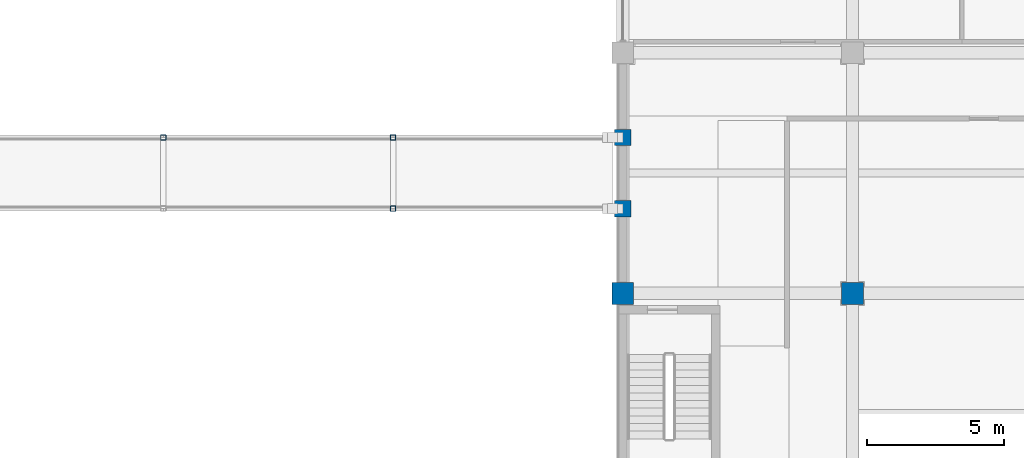
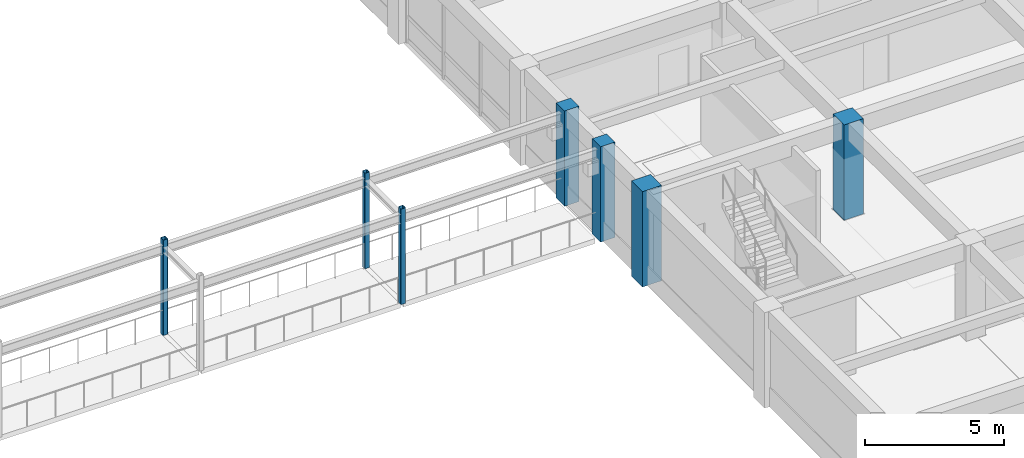
# One storey, part 10 of 57: 7 columns.
"""IFC4 building model written with IfcOpenShell, lengths in metres."""

import ifcopenshell
import ifcopenshell.guid

model = None  # the IFC model being written
_history = None  # IfcOwnerHistory: only IFC2X3 demands one
_inside = {}  # id of a spatial element -> (the spatial element, [elements in it])
_under = {}  # id of a project, library or spatial element -> (it, [spatial elements below it])
_declared = {}  # id of a project -> (the project, [libraries it declares])
_typed = {}  # id of a type object -> (the type object, [elements of that type])
_made_of = {}  # id of a material, layer set ... -> (it, [elements and type objects made of it])


def new_model(schema):
    """Start an empty IFC model of exactly this schema.

    Asked for "IFC4X3", IfcOpenShell would pick the latest addendum, in which some entities
    have other attributes; the version numbers below select the first issue.
    IFC2X3 requires an IfcOwnerHistory on every rooted entity: one is made here for all.
    """
    global model, _history
    if schema == "IFC4X3":
        model = ifcopenshell.file(schema_version=(4, 3, 0, 0))
    else:
        model = ifcopenshell.file(schema=schema)
    _inside.clear()
    _under.clear()
    _declared.clear()
    _typed.clear()
    _made_of.clear()
    _history = None
    if model.schema == "IFC2X3":
        org = make("IfcOrganization", Name="unknown")
        user = make(
            "IfcPersonAndOrganization",
            ThePerson=make("IfcPerson", FamilyName="unknown"),
            TheOrganization=org,
        )
        app = make(
            "IfcApplication",
            ApplicationDeveloper=org,
            Version="unknown",
            ApplicationFullName="unknown",
            ApplicationIdentifier="unknown",
        )
        _history = make(
            "IfcOwnerHistory",
            OwningUser=user,
            OwningApplication=app,
            ChangeAction="ADDED",
            CreationDate=0,
        )
    return model


def make(cls, **values):
    """One entity of the class cls with the attributes given. An attribute that is None is left unset."""
    return model.create_entity(
        cls, **{name: value for name, value in values.items() if value is not None}
    )


def rooted(cls, **values):
    """An entity with a GlobalId (a new one), such as an element, a storey or a relation."""
    return make(cls, GlobalId=ifcopenshell.guid.new(), OwnerHistory=_history, **values)


def si_unit(unit_type, name, prefix=None):
    """IfcSIUnit, for example si_unit("LENGTHUNIT", "METRE", prefix="MILLI")."""
    return make("IfcSIUnit", UnitType=unit_type, Prefix=prefix, Name=name)


def assignment(units):
    """IfcUnitAssignment: the units of a project."""
    return None if units is None else make("IfcUnitAssignment", Units=units)


def point(xyz):
    """IfcCartesianPoint."""
    return None if xyz is None else make("IfcCartesianPoint", Coordinates=xyz)


def direction(xyz):
    """IfcDirection."""
    return None if xyz is None else make("IfcDirection", DirectionRatios=xyz)


def frame(location, z_axis=None, x_axis=None):
    """IfcAxis2Placement3D, a coordinate frame: its origin and axes. An axis left out is left unset."""
    return make(
        "IfcAxis2Placement3D",
        Location=point(location),
        Axis=direction(z_axis),
        RefDirection=direction(x_axis),
    )


def frame_2d(location, x_axis=None):
    """IfcAxis2Placement2D, a coordinate frame in the plane: its origin and x axis."""
    return make(
        "IfcAxis2Placement2D", Location=point(location), RefDirection=direction(x_axis)
    )


def origin():
    """The frame at (0, 0, 0) with its axes left unset."""
    return frame((0.0, 0.0, 0.0))


def origin_2d():
    """The frame at (0, 0) in the plane with its x axis left unset."""
    return frame_2d((0.0, 0.0))


def place(relative_to, where):
    """IfcLocalPlacement: puts the frame where relative to a parent placement (None: the world)."""
    return make(
        "IfcLocalPlacement", PlacementRelTo=relative_to, RelativePlacement=where
    )


def context(
    kind, dimensions, precision=None, world=None, true_north=None, identifier=None
):
    """IfcGeometricRepresentationContext, for example the 3D "Model" context."""
    return make(
        "IfcGeometricRepresentationContext",
        ContextIdentifier=identifier,
        ContextType=kind,
        CoordinateSpaceDimension=dimensions,
        Precision=precision,
        WorldCoordinateSystem=world,
        TrueNorth=true_north,
    )


def subcontext(parent, identifier, kind, view, scale=None):
    """IfcGeometricRepresentationSubContext, for example "Body" below "Model"."""
    return make(
        "IfcGeometricRepresentationSubContext",
        ContextIdentifier=identifier,
        ContextType=kind,
        ParentContext=parent,
        TargetScale=scale,
        TargetView=view,
    )


def project(units=None, contexts=None):
    """IfcProject with its units and contexts."""
    return rooted(
        "IfcProject",
        Name="project",
        RepresentationContexts=contexts,
        UnitsInContext=assignment(units),
    )


def spatial(cls, under=None, at=None, **own):
    """A site, building, storey or space (cls), placed at a placement, below another one or the project."""
    s = rooted(cls, ObjectPlacement=at, **own)
    if under is not None:
        _under.setdefault(under.id(), (under, []))[1].append(s)
    return s


def profile(cls, at=None, kind="AREA", **sizes):
    """A parametric profile (cls). Its sizes go by their IFC names, for example OverallWidth=200.0."""
    return make(cls, ProfileType=kind, Position=at, **sizes)


def rectangle(**sizes):
    """IfcRectangleProfileDef."""
    return profile("IfcRectangleProfileDef", **sizes)


def hollow_rectangle(**sizes):
    """IfcRectangleHollowProfileDef."""
    return profile("IfcRectangleHollowProfileDef", **sizes)


def extrude(swept, where, along, depth):
    """IfcExtrudedAreaSolid: the profile swept, set in the frame where, extruded along a direction by depth."""
    return make(
        "IfcExtrudedAreaSolid",
        SweptArea=swept,
        Position=where,
        ExtrudedDirection=direction(along),
        Depth=depth,
    )


def shape(context_of_items, identifier, shape_type, items):
    """IfcShapeRepresentation: the items that make up one representation, for example the "Body"."""
    return make(
        "IfcShapeRepresentation",
        ContextOfItems=context_of_items,
        RepresentationIdentifier=identifier,
        RepresentationType=shape_type,
        Items=items,
    )


def material(Name=None, Category=None):
    """IfcMaterial."""
    return make("IfcMaterial", Name=Name, Category=Category)


def material_profile(
    of_material, cross_section, Name=None, Category=None, Priority=None
):
    """IfcMaterialProfile: a cross section and its material."""
    return make(
        "IfcMaterialProfile",
        Name=Name,
        Material=of_material,
        Profile=cross_section,
        Priority=Priority,
        Category=Category,
    )


def profile_set(profiles, Name=None, composite=None):
    """IfcMaterialProfileSet."""
    return make(
        "IfcMaterialProfileSet",
        Name=Name,
        MaterialProfiles=profiles,
        CompositeProfile=composite,
    )


def made_of(thing, what):
    """Note that an element or type object is made of a material, layer set ...; save() writes the relation."""
    if what is not None:
        _made_of.setdefault(what.id(), (what, []))[1].append(thing)
    return thing


def type_object(cls, material=None, **own):
    """A type object (cls), such as IfcWallType, which elements share."""
    return made_of(rooted(cls, **own), material)


def element(
    cls,
    number,
    at=None,
    inside=None,
    cuts=None,
    type_object=None,
    material=None,
    context=None,
    identifier="Body",
    shape_type=None,
    held_by="IfcProductDefinitionShape",
    body=None,
    shapes=None,
    **own,
):
    """One element of the class cls, such as IfcWall. Its Tag is "e" and its number.

    at: its placement. inside: the storey or other place that contains it. cuts: it is an
    opening in that element (IfcRelVoidsElement). A single representation is given by context,
    identifier, shape_type and body (its items); several are given by shapes. held_by: the class
    of the entity that holds the representations. save() writes the other relations.
    """
    e = rooted(cls, Tag="e%d" % number, ObjectPlacement=at, **own)
    if body is not None:
        shapes = [shape(context, identifier, shape_type, body)]
    if shapes is not None:
        e.Representation = make(held_by, Representations=shapes)
    if inside is not None:
        _inside.setdefault(inside.id(), (inside, []))[1].append(e)
    if cuts is not None:
        rooted(
            "IfcRelVoidsElement", RelatingBuildingElement=cuts, RelatedOpeningElement=e
        )
    if type_object is not None:
        _typed.setdefault(type_object.id(), (type_object, []))[1].append(e)
    return made_of(e, material)


def aggregate(whole, parts):
    """IfcRelAggregates: a whole, such as a stair, and the parts it consists of."""
    return rooted("IfcRelAggregates", RelatingObject=whole, RelatedObjects=parts)


def save(model, path):
    """Write the relations noted so far, then the file.

    IfcRelAggregates (storeys below a building ...), IfcRelContainedInSpatialStructure (elements
    in a storey), IfcRelDefinesByType, IfcRelAssociatesMaterial and IfcRelDeclares: one each for
    every whole, place, type object, material and project.
    """
    for whole, parts in _under.values():
        aggregate(whole, parts)
    for where, things in _inside.values():
        rooted(
            "IfcRelContainedInSpatialStructure",
            RelatedElements=things,
            RelatingStructure=where,
        )
    for kind, things in _typed.values():
        rooted("IfcRelDefinesByType", RelatedObjects=things, RelatingType=kind)
    for what, things in _made_of.values():
        rooted("IfcRelAssociatesMaterial", RelatedObjects=things, RelatingMaterial=what)
    for by, libraries in _declared.values():
        rooted("IfcRelDeclares", RelatingContext=by, RelatedDefinitions=libraries)
    model.write(path)


model = new_model("IFC4")

# Units and contexts
model_context = context("Model", 3, precision=1e-05, world=origin(), true_north=direction((0.0, 1.0)))
body_context = subcontext(model_context, "Body", "Model", "MODEL_VIEW")
ifc_project = project(units=[si_unit("LENGTHUNIT", "METRE"), si_unit("AREAUNIT", "SQUARE_METRE"), si_unit("VOLUMEUNIT", "CUBIC_METRE"), si_unit("PLANEANGLEUNIT", "RADIAN"), si_unit("MASSUNIT", "GRAM", prefix="KILO")], contexts=[model_context])

# Site, building, storey
site_placement = place(None, origin())
site = spatial("IfcSite", under=ifc_project, at=site_placement, CompositionType="ELEMENT")
building_placement = place(site_placement, origin())
building = spatial("IfcBuilding", under=site, at=building_placement, Name="Kemercrest Conservatory and Botanical Centre", CompositionType="ELEMENT")
storey_placement = place(building_placement, frame((0.0, 0.0, 4.800048828125)))
storey = spatial("IfcBuildingStorey", under=building, at=storey_placement, Name="L01", CompositionType="ELEMENT", Elevation=4.800048828125)

# Columns
ifc_material_1 = material(Name="Concrete C40/50", Category="concrete")
ifc_material_profile_1 = material_profile(ifc_material_1, rectangle(XDim=0.60009765625, YDim=0.60009765625, at=origin_2d()), Name="RC 600x600")
ifc_profile_set_1 = profile_set([ifc_material_profile_1], Name="Concrete C40/50")
column_type_1 = type_object("IfcColumnType", Name="C-RC60", PredefinedType="COLUMN", material=ifc_profile_set_1)
for number, where, z_axis, x_axis, name in (
    (1, (125.60009765625, 99.10009765625, 0.0), (0.0, 0.0, 1.0), (1.0, 0.0, 0.0), "North Courtyard Covered Passage SJ-3 rcv pier column 1"),
    (2, (125.60009765625, 101.699951171875, 0.0), (0.0, 0.0, 1.0), (1.0, 0.0, 0.0), "North Courtyard Covered Passage SJ-3 rcv pier column 2"),
):
    element("IfcColumn", number, at=place(storey_placement, frame(where, z_axis=z_axis, x_axis=x_axis)), inside=storey, type_object=column_type_1, Name=name, PredefinedType="COLUMN", context=body_context, shape_type="SweptSolid", body=[
        extrude(rectangle(XDim=0.60009765625, YDim=0.60009765625, at=origin_2d()), origin(), (0.0, 0.0, 1.0), 4.199951171875),
    ])
ifc_material_2 = material(Name="Concrete C50/60", Category="concrete")
ifc_material_profile_2 = material_profile(ifc_material_2, rectangle(XDim=0.800048828125, YDim=0.800048828125, at=origin_2d()), Name="RC 800x800")
ifc_profile_set_2 = profile_set([ifc_material_profile_2], Name="Concrete C50/60")
column_type_2 = type_object("IfcColumnType", Name="C-RC80", PredefinedType="COLUMN", material=ifc_profile_set_2)
for number, where, z_axis, x_axis, name in (
    (3, (125.60009765625, 96.0, 0.0), (0.0, 0.0, 1.0), (1.0, 0.0, 0.0), "Tower column C-RC80 15/L"),
    (4, (134.0, 96.0, 0.0), (0.0, 0.0, 1.0), (1.0, 0.0, 0.0), "Tower column C-RC80 16/L"),
):
    element("IfcColumn", number, at=place(storey_placement, frame(where, z_axis=z_axis, x_axis=x_axis)), inside=storey, type_object=column_type_2, Name=name, PredefinedType="COLUMN", context=body_context, shape_type="SweptSolid", body=[
        extrude(rectangle(XDim=0.800048828125, YDim=0.800048828125, at=origin_2d()), origin(), (0.0, 0.0, 1.0), 4.199951171875),
    ])
ifc_material_3 = material(Name="Steel CSA G40.21 350W", Category="steel")
ifc_material_profile_3 = material_profile(ifc_material_3, hollow_rectangle(XDim=0.203125, YDim=0.203125, WallThickness=0.0126953125, InnerFilletRadius=0.0126953125, OuterFilletRadius=0.02490234375, at=origin_2d()), Name="HSS 203x203x12.7")
ifc_profile_set_3 = profile_set([ifc_material_profile_3], Name="Steel CSA G40.21 350W")
column_type_3 = type_object("IfcColumnType", Name="C-S203", PredefinedType="COLUMN", material=ifc_profile_set_3)
for number, where, z_axis, x_axis, name in (
    (5, (108.800048828125, 101.699951171875, 0.0), (0.0, 0.0, 1.0), (1.0, 0.0, 0.0), "North Courtyard Covered Passage SJ-3 support column P2-2"),
    (6, (117.199951171875, 99.10009765625, 0.0), (0.0, 0.0, 1.0), (1.0, 0.0, 0.0), "North Courtyard Covered Passage SJ-3 support column P3-1"),
    (7, (117.199951171875, 101.699951171875, 0.0), (0.0, 0.0, 1.0), (1.0, 0.0, 0.0), "North Courtyard Covered Passage SJ-3 support column P3-2"),
):
    element("IfcColumn", number, at=place(storey_placement, frame(where, z_axis=z_axis, x_axis=x_axis)), inside=storey, type_object=column_type_3, Name=name, PredefinedType="COLUMN", context=body_context, shape_type="SweptSolid", body=[
        extrude(hollow_rectangle(XDim=0.203125, YDim=0.203125, WallThickness=0.0126953125, InnerFilletRadius=0.0126953125, OuterFilletRadius=0.02490234375, at=origin_2d()), origin(), (0.0, 0.0, 1.0), 4.199951171875),
    ])

save(model, "model.ifc")
